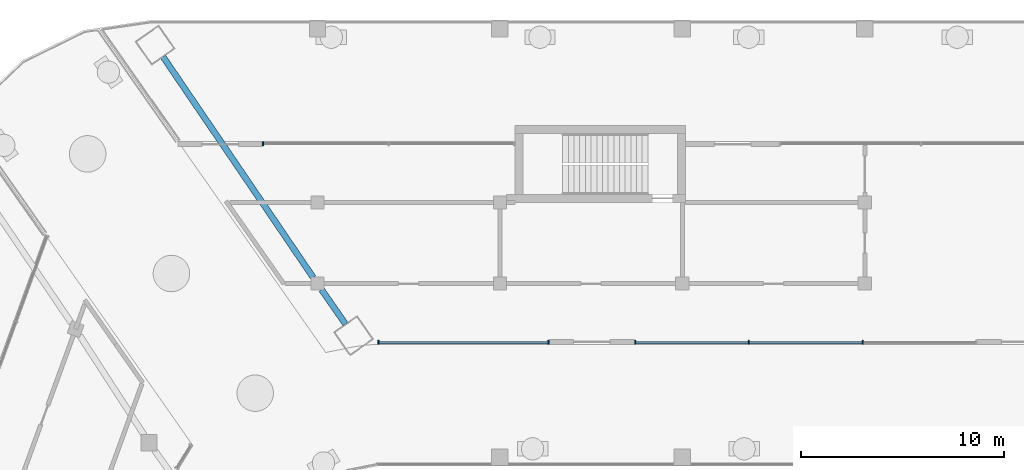
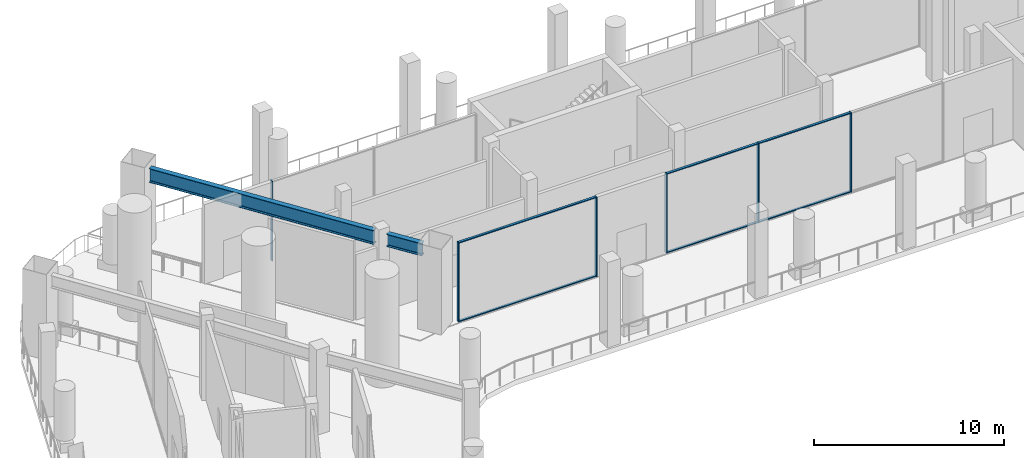
# One storey, part 3 of 17: 12 members, 2 beams, 3 elements without a shape of their own.
"""IFC4 building model written with IfcOpenShell, lengths in metres."""

from ifc_helpers import new_model, si_unit, direction, frame, origin, origin_2d, place, context, subcontext, project, spatial, rectangle, i_section, extrude, material, material_profile, profile_set, type_object, element, aggregate, save


model = new_model("IFC4")

# Units and contexts
model_context = context("Model", 3, precision=1e-05, world=origin(), true_north=direction((0.0, 1.0)))
body_context = subcontext(model_context, "Body", "Model", "MODEL_VIEW")
ifc_project = project(units=[si_unit("LENGTHUNIT", "METRE"), si_unit("AREAUNIT", "SQUARE_METRE"), si_unit("VOLUMEUNIT", "CUBIC_METRE"), si_unit("PLANEANGLEUNIT", "RADIAN"), si_unit("MASSUNIT", "GRAM", prefix="KILO")], contexts=[model_context])

# Site, building, storey
site_placement = place(None, origin())
site = spatial("IfcSite", under=ifc_project, at=site_placement, CompositionType="ELEMENT")
building_placement = place(site_placement, origin())
building = spatial("IfcBuilding", under=site, at=building_placement, Name="Skarvind Civic Tower", CompositionType="ELEMENT")
storey_placement = place(building_placement, frame((0.0, 0.0, 182.5)))
storey = spatial("IfcBuildingStorey", under=building, at=storey_placement, Name="L43", CompositionType="ELEMENT", Elevation=182.5)

# Curtain wall, member
ifc_material_1 = material(Name="Aluminium alloy 6063 and laminated glass", Category="aluminium")
curtain_wall_type = type_object("IfcCurtainWallType", Name="CW3 SEPARATOR INNER GLAZING", PredefinedType="NOTDEFINED", material=ifc_material_1)
curtain_wall_1_placement = place(storey_placement, origin())
curtain_wall_1 = element("IfcCurtainWall", 1, at=curtain_wall_1_placement, inside=storey, type_object=curtain_wall_type, Name="SEPARATOR INNER GLAZING", PredefinedType="NOTDEFINED")
ifc_material_2 = material(Name="Aluminium alloy 6063", Category="aluminium")
ifc_material_profile_1 = material_profile(ifc_material_2, rectangle(XDim=0.199951171875, YDim=0.06005859375, at=origin_2d()), Name="AL 60x200")
ifc_profile_set_1 = profile_set([ifc_material_profile_1], Name="Aluminium alloy 6063")
member_type_1 = type_object("IfcMemberType", Name="CW3 MULLION 60x200", PredefinedType="MULLION", material=ifc_profile_set_1)
member_1_placement = place(storey_placement, frame((51.566650390625, 132.89990234375, 0.0), z_axis=(0.0, 0.0, 1.0), x_axis=(0.0, 1.0, 0.0)))
member_1 = element("IfcMember", 2, at=member_1_placement, type_object=member_type_1, Name="CW3 mullion 1", PredefinedType="MULLION", context=body_context, shape_type="SweptSolid", body=[
    extrude(rectangle(XDim=0.199951171875, YDim=0.06005859375, at=origin_2d()), origin(), (0.0, 0.0, 1.0), 5.125),
])
aggregate(curtain_wall_1, [member_1])

# Curtain wall, members
curtain_wall_2_placement = place(storey_placement, origin())
curtain_wall_2 = element("IfcCurtainWall", 3, at=curtain_wall_2_placement, inside=storey, type_object=curtain_wall_type, Name="SEPARATOR INNER GLAZING", PredefinedType="NOTDEFINED")
member_2_placement = place(storey_placement, frame((81.15185546875, 123.10009765625, 0.0), z_axis=(0.0, 0.0, 1.0), x_axis=(0.0, -1.0, 0.0)))
member_2 = element("IfcMember", 4, at=member_2_placement, type_object=member_type_1, Name="CW3 mullion 2", PredefinedType="MULLION", context=body_context, shape_type="SweptSolid", body=[
    extrude(rectangle(XDim=0.199951171875, YDim=0.06005859375, at=origin_2d()), origin(), (0.0, 0.0, 1.0), 5.125),
])
member_3_placement = place(storey_placement, frame((75.5244140625, 123.10009765625, 0.0), z_axis=(0.0, 0.0, 1.0), x_axis=(0.0, -1.0, 0.0)))
member_3 = element("IfcMember", 5, at=member_3_placement, type_object=member_type_1, Name="CW3 mullion 3", PredefinedType="MULLION", context=body_context, shape_type="SweptSolid", body=[
    extrude(rectangle(XDim=0.199951171875, YDim=0.06005859375, at=origin_2d()), origin(), (0.0, 0.0, 1.0), 5.125),
])
member_4_placement = place(storey_placement, frame((69.927001953125, 123.10009765625, 0.0), z_axis=(0.0, 0.0, 1.0), x_axis=(0.0, -1.0, 0.0)))
member_4 = element("IfcMember", 6, at=member_4_placement, type_object=member_type_1, Name="CW3 mullion 4", PredefinedType="MULLION", context=body_context, shape_type="SweptSolid", body=[
    extrude(rectangle(XDim=0.199951171875, YDim=0.06005859375, at=origin_2d()), origin(), (0.0, 0.0, 1.0), 5.125),
])

curtain_wall_3_placement = place(storey_placement, origin())
curtain_wall_3 = element("IfcCurtainWall", 7, at=curtain_wall_3_placement, inside=storey, type_object=curtain_wall_type, Name="SEPARATOR INNER GLAZING", PredefinedType="NOTDEFINED")
member_5_placement = place(storey_placement, frame((65.646240234375, 123.10009765625, 0.0), z_axis=(0.0, 0.0, 1.0), x_axis=(0.0, -1.0, 0.0)))
member_5 = element("IfcMember", 8, at=member_5_placement, type_object=member_type_1, Name="CW3 mullion 1", PredefinedType="MULLION", context=body_context, shape_type="SweptSolid", body=[
    extrude(rectangle(XDim=0.199951171875, YDim=0.06005859375, at=origin_2d()), origin(), (0.0, 0.0, 1.0), 5.125),
])
member_6_placement = place(storey_placement, frame((57.26513671875, 123.10009765625, 0.0), z_axis=(0.0, 0.0, 1.0), x_axis=(0.0, -1.0, 0.0)))
member_6 = element("IfcMember", 9, at=member_6_placement, type_object=member_type_1, Name="CW3 mullion 2", PredefinedType="MULLION", context=body_context, shape_type="SweptSolid", body=[
    extrude(rectangle(XDim=0.199951171875, YDim=0.06005859375, at=origin_2d()), origin(), (0.0, 0.0, 1.0), 5.125),
])

# Member
ifc_material_profile_2 = material_profile(ifc_material_2, rectangle(XDim=0.139892578125, YDim=0.06005859375, at=origin_2d()), Name="AL 60x140")
ifc_profile_set_2 = profile_set([ifc_material_profile_2], Name="Aluminium alloy 6063")
member_type_2 = type_object("IfcMemberType", Name="CW3 TRANSOM 60x140", PredefinedType="USERDEFINED", material=ifc_profile_set_2)
member_7_placement = place(storey_placement, frame((81.121826171875, 123.10009765625, 0.030029296875), z_axis=(-1.0, 0.0, 0.0), x_axis=(0.0, -1.0, 0.0)))
member_7 = element("IfcMember", 10, at=member_7_placement, type_object=member_type_2, Name="CW3 transom 2.1", ObjectType="TRANSOM", PredefinedType="USERDEFINED", context=body_context, shape_type="SweptSolid", body=[
    extrude(rectangle(XDim=0.139892578125, YDim=0.06005859375, at=origin_2d()), origin(), (0.0, 0.0, 1.0), 5.5673828125),
])

member_8_placement = place(storey_placement, frame((81.121826171875, 123.10009765625, 5.094970703125), z_axis=(-1.0, 0.0, 0.0), x_axis=(0.0, -1.0, 0.0)))
member_8 = element("IfcMember", 11, at=member_8_placement, type_object=member_type_2, Name="CW3 transom 2.2", ObjectType="TRANSOM", PredefinedType="USERDEFINED", context=body_context, shape_type="SweptSolid", body=[
    extrude(rectangle(XDim=0.139892578125, YDim=0.06005859375, at=origin_2d()), origin(), (0.0, 0.0, 1.0), 5.5673828125),
])

member_9_placement = place(storey_placement, frame((75.494384765625, 123.10009765625, 0.030029296875), z_axis=(-1.0, 0.0, 0.0), x_axis=(0.0, -1.0, 0.0)))
member_9 = element("IfcMember", 12, at=member_9_placement, type_object=member_type_2, Name="CW3 transom 3.1", ObjectType="TRANSOM", PredefinedType="USERDEFINED", context=body_context, shape_type="SweptSolid", body=[
    extrude(rectangle(XDim=0.139892578125, YDim=0.06005859375, at=origin_2d()), origin(), (0.0, 0.0, 1.0), 5.53759765625),
])

member_10_placement = place(storey_placement, frame((75.494384765625, 123.10009765625, 5.094970703125), z_axis=(-1.0, 0.0, 0.0), x_axis=(0.0, -1.0, 0.0)))
member_10 = element("IfcMember", 13, at=member_10_placement, type_object=member_type_2, Name="CW3 transom 3.2", ObjectType="TRANSOM", PredefinedType="USERDEFINED", context=body_context, shape_type="SweptSolid", body=[
    extrude(rectangle(XDim=0.139892578125, YDim=0.06005859375, at=origin_2d()), origin(), (0.0, 0.0, 1.0), 5.53759765625),
])

aggregate(curtain_wall_2, [member_2, member_3, member_4, member_7, member_8, member_9, member_10])

member_11_placement = place(storey_placement, frame((65.6162109375, 123.10009765625, 0.030029296875), z_axis=(-1.0, 0.0, 0.0), x_axis=(0.0, -1.0, 0.0)))
member_11 = element("IfcMember", 14, at=member_11_placement, type_object=member_type_2, Name="CW3 transom 1.1", ObjectType="TRANSOM", PredefinedType="USERDEFINED", context=body_context, shape_type="SweptSolid", body=[
    extrude(rectangle(XDim=0.139892578125, YDim=0.06005859375, at=origin_2d()), origin(), (0.0, 0.0, 1.0), 8.321044921875),
])

member_12_placement = place(storey_placement, frame((65.6162109375, 123.10009765625, 5.094970703125), z_axis=(-1.0, 0.0, 0.0), x_axis=(0.0, -1.0, 0.0)))
member_12 = element("IfcMember", 15, at=member_12_placement, type_object=member_type_2, Name="CW3 transom 1.2", ObjectType="TRANSOM", PredefinedType="USERDEFINED", context=body_context, shape_type="SweptSolid", body=[
    extrude(rectangle(XDim=0.139892578125, YDim=0.06005859375, at=origin_2d()), origin(), (0.0, 0.0, 1.0), 8.321044921875),
])

aggregate(curtain_wall_3, [member_5, member_6, member_11, member_12])

# Beams
ifc_material_3 = material(Name="Steel SM355", Category="steel")
ifc_material_profile_3 = material_profile(ifc_material_3, i_section(OverallWidth=0.300048828125, OverallDepth=0.800048828125, WebThickness=0.013916015625, FlangeThickness=0.02587890625, FilletRadius=0.028076171875, at=origin_2d()), Name="H-800x300x14x26")
ifc_profile_set_3 = profile_set([ifc_material_profile_3], Name="Steel SM355")
beam_type_1 = type_object("IfcBeamType", Name="Slot edge beam H-800x300x14x26 SM355", PredefinedType="BEAM", material=ifc_profile_set_3)
beam_1_placement = place(storey_placement, frame((55.63671875, 124.0048828125, 4.72509765625), z_axis=(-0.570752585852, 0.821122089426, 0.0), x_axis=(-0.821122089426, -0.570752585852, 0.0)))
element("IfcBeam", 16, at=beam_1_placement, inside=storey, type_object=beam_type_1, Name="Slot edge beam L44 B8", PredefinedType="BEAM", context=body_context, shape_type="SweptSolid", body=[
    extrude(i_section(OverallWidth=0.300048828125, OverallDepth=0.800048828125, WebThickness=0.013916015625, FlangeThickness=0.02587890625, FilletRadius=0.028076171875, at=origin_2d()), origin(), (0.0, 0.0, 1.0), 2.064453125),
])
ifc_material_profile_4 = material_profile(ifc_material_3, i_section(OverallWidth=0.300048828125, OverallDepth=0.89990234375, WebThickness=0.01611328125, FlangeThickness=0.028076171875, FilletRadius=0.028076171875, at=origin_2d()), Name="H-900x300x16x28")
ifc_profile_set_4 = profile_set([ifc_material_profile_4], Name="Steel SM355")
beam_type_2 = type_object("IfcBeamType", Name="Slot edge beam H-900x300x16x28 SM355", PredefinedType="BEAM", material=ifc_profile_set_4)
beam_2_placement = place(storey_placement, frame((54.0458984375, 126.300048828125, 4.675048828125), z_axis=(-0.562529148829, 0.826777452957, 0.0), x_axis=(-0.826777452957, -0.562529148829, 0.0)))
element("IfcBeam", 17, at=beam_2_placement, inside=storey, type_object=beam_type_2, Name="Slot edge beam L44 B9", PredefinedType="BEAM", context=body_context, shape_type="SweptSolid", body=[
    extrude(i_section(OverallWidth=0.300048828125, OverallDepth=0.89990234375, WebThickness=0.01611328125, FlangeThickness=0.028076171875, FilletRadius=0.028076171875, at=origin_2d()), origin(), (0.0, 0.0, 1.0), 13.163818359375),
])

save(model, "model.ifc")
